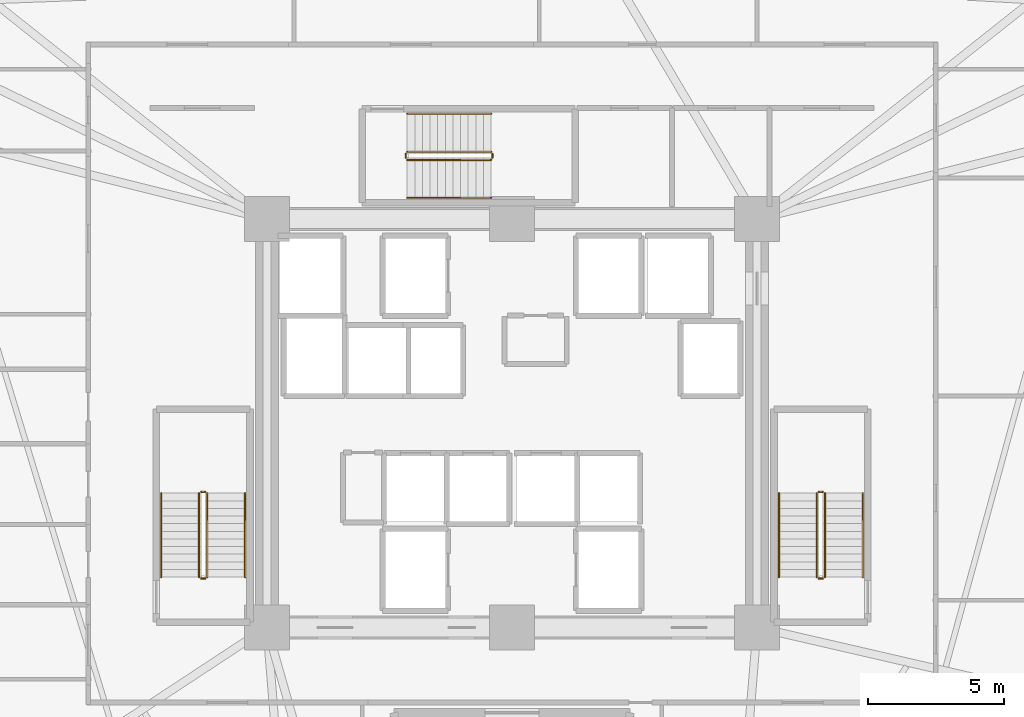
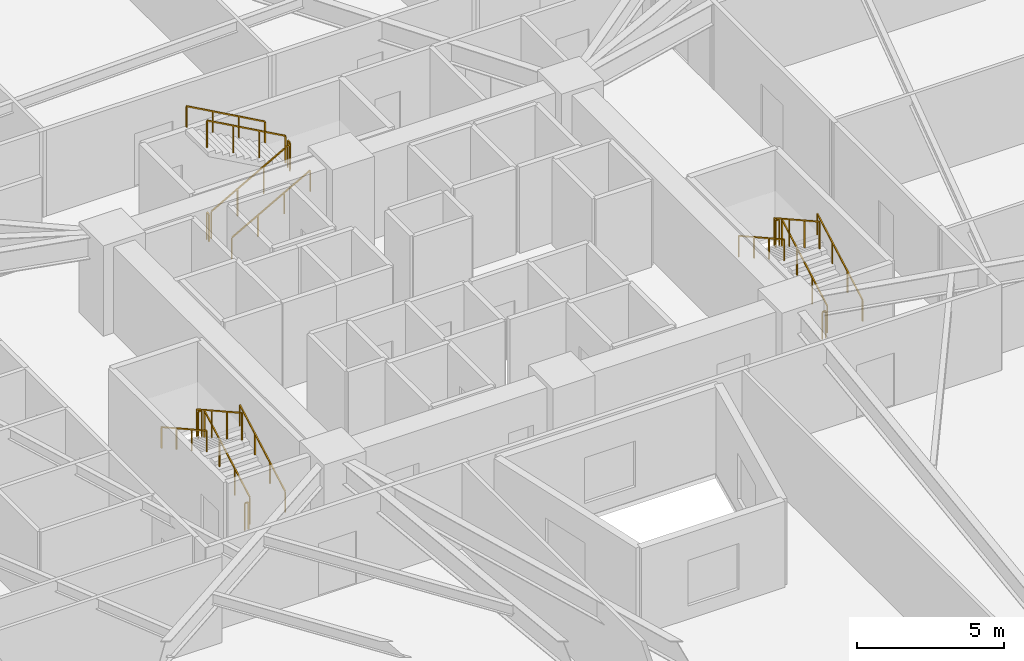
# One storey, part 9 of 9: 18 railings.
"""IFC4 building model written with IfcOpenShell, lengths in metres."""

from ifc_helpers import new_model, si_unit, direction, frame, origin, origin_2d, place, context, subcontext, project, spatial, rectangle, extrude, material, type_object, element, save


model = new_model("IFC4")

# Units and contexts
model_context = context("Model", 3, precision=1e-05, world=origin(), true_north=direction((0.0, 1.0)))
body_context = subcontext(model_context, "Body", "Model", "MODEL_VIEW")
ifc_project = project(units=[si_unit("LENGTHUNIT", "METRE"), si_unit("AREAUNIT", "SQUARE_METRE"), si_unit("VOLUMEUNIT", "CUBIC_METRE"), si_unit("PLANEANGLEUNIT", "RADIAN"), si_unit("MASSUNIT", "GRAM", prefix="KILO")], contexts=[model_context])

# Site, building, storey
site_placement = place(None, origin())
site = spatial("IfcSite", under=ifc_project, at=site_placement, CompositionType="ELEMENT")
building_placement = place(site_placement, origin())
building = spatial("IfcBuilding", under=site, at=building_placement, Name="Liaohun Quay Tower", CompositionType="ELEMENT")
storey_placement = place(building_placement, frame((0.0, 0.0, 59.25)))
storey = spatial("IfcBuildingStorey", under=building, at=storey_placement, Name="L15", CompositionType="ELEMENT", Elevation=59.25)

# Railings
ifc_material_1 = material(Name="Painted tubular steel", Category="steel")
railing_type_1 = type_object("IfcRailingType", Name="RLG-GUARD-STR", PredefinedType="GUARDRAIL", material=ifc_material_1)
railing_1_placement = place(storey_placement, frame((48.81005859375, 48.35009765625, 0.15625)))
element("IfcRailing", 1, at=railing_1_placement, inside=storey, type_object=railing_type_1, Name="L15 ST-1 stair guard 1", PredefinedType="GUARDRAIL", context=body_context, shape_type="SweptSolid", body=[
    extrude(rectangle(XDim=0.048095703125, YDim=0.048095703125, at=origin_2d()), frame((0.0, 0.0, 1.1259765625), z_axis=(0.0, 0.873225103656, 0.487317061414), x_axis=(-1.0, 0.0, 0.0)), (0.0, 0.0, 1.0), 3.52685546875),
    extrude(rectangle(XDim=0.0419921875, YDim=0.0419921875, at=origin_2d()), origin(), (0.0, 0.0, 1.0), 1.101806640625),
    extrude(rectangle(XDim=0.0419921875, YDim=0.0419921875, at=origin_2d()), frame((0.0, 1.026611328125, 0.572998046875)), (0.0, 0.0, 1.0), 1.101806640625),
    extrude(rectangle(XDim=0.0419921875, YDim=0.0419921875, at=origin_2d()), frame((0.0, 2.05322265625, 1.145751953125)), (0.0, 0.0, 1.0), 1.101806640625),
    extrude(rectangle(XDim=0.0419921875, YDim=0.0419921875, at=origin_2d()), frame((0.0, 3.079833984375, 1.71875)), (0.0, 0.0, 1.0), 1.101806640625),
])
railing_2_placement = place(storey_placement, frame((48.72998046875, 51.47998046875, 1.875)))
element("IfcRailing", 2, at=railing_2_placement, inside=storey, type_object=railing_type_1, Name="L15 ST-1 stair guard 2", PredefinedType="GUARDRAIL", context=body_context, shape_type="SweptSolid", body=[
    extrude(rectangle(XDim=0.048095703125, YDim=0.048095703125, at=origin_2d()), frame((0.0, 0.0, 1.1259765625), z_axis=(-1.0, 0.0, 0.0), x_axis=(0.0, -1.0, 0.0)), (0.0, 0.0, 1.0), 0.139892578125),
    extrude(rectangle(XDim=0.0419921875, YDim=0.0419921875, at=origin_2d()), origin(), (0.0, 0.0, 1.0), 1.101806640625),
    extrude(rectangle(XDim=0.0419921875, YDim=0.0419921875, at=origin_2d()), frame((-0.139892578125, 0.0, 0.0)), (0.0, 0.0, 1.0), 1.101806640625),
])
railing_3_placement = place(storey_placement, frame((48.510009765625, 51.429931640625, 2.03125)))
element("IfcRailing", 3, at=railing_3_placement, inside=storey, type_object=railing_type_1, Name="L15 ST-1 stair guard 3", PredefinedType="GUARDRAIL", context=body_context, shape_type="SweptSolid", body=[
    extrude(rectangle(XDim=0.048095703125, YDim=0.048095703125, at=origin_2d()), frame((0.0, 0.0, 1.1259765625), z_axis=(0.0, -0.873225103656, 0.487317061414), x_axis=(1.0, 0.0, 0.0)), (0.0, 0.0, 1.0), 3.52685546875),
    extrude(rectangle(XDim=0.0419921875, YDim=0.0419921875, at=origin_2d()), origin(), (0.0, 0.0, 1.0), 1.101806640625),
    extrude(rectangle(XDim=0.0419921875, YDim=0.0419921875, at=origin_2d()), frame((0.0, -1.026611328125, 0.572998046875)), (0.0, 0.0, 1.0), 1.101806640625),
    extrude(rectangle(XDim=0.0419921875, YDim=0.0419921875, at=origin_2d()), frame((0.0, -2.05322265625, 1.145751953125)), (0.0, 0.0, 1.0), 1.101806640625),
    extrude(rectangle(XDim=0.0419921875, YDim=0.0419921875, at=origin_2d()), frame((0.0, -3.079833984375, 1.71875)), (0.0, 0.0, 1.0), 1.101806640625),
])
railing_4_placement = place(storey_placement, frame((48.72998046875, 48.300048828125, 0.0)))
element("IfcRailing", 4, at=railing_4_placement, inside=storey, type_object=railing_type_1, Name="L15 ST-1 stair guard 4", PredefinedType="GUARDRAIL", context=body_context, shape_type="SweptSolid", body=[
    extrude(rectangle(XDim=0.048095703125, YDim=0.048095703125, at=origin_2d()), frame((0.0, 0.0, 1.1259765625), z_axis=(-1.0, 0.0, 0.0), x_axis=(0.0, -1.0, 0.0)), (0.0, 0.0, 1.0), 0.139892578125),
    extrude(rectangle(XDim=0.0419921875, YDim=0.0419921875, at=origin_2d()), origin(), (0.0, 0.0, 1.0), 1.101806640625),
    extrude(rectangle(XDim=0.0419921875, YDim=0.0419921875, at=origin_2d()), frame((-0.139892578125, 0.0, 0.0)), (0.0, 0.0, 1.0), 1.101806640625),
])
railing_5_placement = place(storey_placement, frame((71.489990234375, 48.35009765625, 0.15625)))
element("IfcRailing", 5, at=railing_5_placement, inside=storey, type_object=railing_type_1, Name="L15 ST-2 stair guard 1", PredefinedType="GUARDRAIL", context=body_context, shape_type="SweptSolid", body=[
    extrude(rectangle(XDim=0.048095703125, YDim=0.048095703125, at=origin_2d()), frame((0.0, 0.0, 1.1259765625), z_axis=(0.0, 0.873225103656, 0.487317061414), x_axis=(-1.0, 0.0, 0.0)), (0.0, 0.0, 1.0), 3.52685546875),
    extrude(rectangle(XDim=0.0419921875, YDim=0.0419921875, at=origin_2d()), origin(), (0.0, 0.0, 1.0), 1.101806640625),
    extrude(rectangle(XDim=0.0419921875, YDim=0.0419921875, at=origin_2d()), frame((0.0, 1.026611328125, 0.572998046875)), (0.0, 0.0, 1.0), 1.101806640625),
    extrude(rectangle(XDim=0.0419921875, YDim=0.0419921875, at=origin_2d()), frame((0.0, 2.05322265625, 1.145751953125)), (0.0, 0.0, 1.0), 1.101806640625),
    extrude(rectangle(XDim=0.0419921875, YDim=0.0419921875, at=origin_2d()), frame((0.0, 3.079833984375, 1.71875)), (0.0, 0.0, 1.0), 1.101806640625),
])
railing_6_placement = place(storey_placement, frame((71.409912109375, 51.47998046875, 1.875)))
element("IfcRailing", 6, at=railing_6_placement, inside=storey, type_object=railing_type_1, Name="L15 ST-2 stair guard 2", PredefinedType="GUARDRAIL", context=body_context, shape_type="SweptSolid", body=[
    extrude(rectangle(XDim=0.048095703125, YDim=0.048095703125, at=origin_2d()), frame((0.0, 0.0, 1.1259765625), z_axis=(-1.0, 0.0, 0.0), x_axis=(0.0, -1.0, 0.0)), (0.0, 0.0, 1.0), 0.139892578125),
    extrude(rectangle(XDim=0.0419921875, YDim=0.0419921875, at=origin_2d()), origin(), (0.0, 0.0, 1.0), 1.101806640625),
    extrude(rectangle(XDim=0.0419921875, YDim=0.0419921875, at=origin_2d()), frame((-0.139892578125, 0.0, 0.0)), (0.0, 0.0, 1.0), 1.101806640625),
])
railing_7_placement = place(storey_placement, frame((71.18994140625, 51.429931640625, 2.03125)))
element("IfcRailing", 7, at=railing_7_placement, inside=storey, type_object=railing_type_1, Name="L15 ST-2 stair guard 3", PredefinedType="GUARDRAIL", context=body_context, shape_type="SweptSolid", body=[
    extrude(rectangle(XDim=0.048095703125, YDim=0.048095703125, at=origin_2d()), frame((0.0, 0.0, 1.1259765625), z_axis=(0.0, -0.873225103656, 0.487317061414), x_axis=(1.0, 0.0, 0.0)), (0.0, 0.0, 1.0), 3.52685546875),
    extrude(rectangle(XDim=0.0419921875, YDim=0.0419921875, at=origin_2d()), origin(), (0.0, 0.0, 1.0), 1.101806640625),
    extrude(rectangle(XDim=0.0419921875, YDim=0.0419921875, at=origin_2d()), frame((0.0, -1.026611328125, 0.572998046875)), (0.0, 0.0, 1.0), 1.101806640625),
    extrude(rectangle(XDim=0.0419921875, YDim=0.0419921875, at=origin_2d()), frame((0.0, -2.05322265625, 1.145751953125)), (0.0, 0.0, 1.0), 1.101806640625),
    extrude(rectangle(XDim=0.0419921875, YDim=0.0419921875, at=origin_2d()), frame((0.0, -3.079833984375, 1.71875)), (0.0, 0.0, 1.0), 1.101806640625),
])
railing_8_placement = place(storey_placement, frame((71.409912109375, 48.300048828125, 0.0)))
element("IfcRailing", 8, at=railing_8_placement, inside=storey, type_object=railing_type_1, Name="L15 ST-2 stair guard 4", PredefinedType="GUARDRAIL", context=body_context, shape_type="SweptSolid", body=[
    extrude(rectangle(XDim=0.048095703125, YDim=0.048095703125, at=origin_2d()), frame((0.0, 0.0, 1.1259765625), z_axis=(-1.0, 0.0, 0.0), x_axis=(0.0, -1.0, 0.0)), (0.0, 0.0, 1.0), 0.139892578125),
    extrude(rectangle(XDim=0.0419921875, YDim=0.0419921875, at=origin_2d()), origin(), (0.0, 0.0, 1.0), 1.101806640625),
    extrude(rectangle(XDim=0.0419921875, YDim=0.0419921875, at=origin_2d()), frame((-0.139892578125, 0.0, 0.0)), (0.0, 0.0, 1.0), 1.101806640625),
])
railing_9_placement = place(storey_placement, frame((56.14990234375, 63.669921875, 0.15625)))
element("IfcRailing", 9, at=railing_9_placement, inside=storey, type_object=railing_type_1, Name="L15 ST-3 stair guard 1", PredefinedType="GUARDRAIL", context=body_context, shape_type="SweptSolid", body=[
    extrude(rectangle(XDim=0.048095703125, YDim=0.048095703125, at=origin_2d()), frame((0.0, 0.0, 1.1259765625), z_axis=(0.873241540666, 0.0, 0.487287606713), x_axis=(0.0, 1.0, 0.0)), (0.0, 0.0, 1.0), 3.527099609375),
    extrude(rectangle(XDim=0.0419921875, YDim=0.0419921875, at=origin_2d()), origin(), (0.0, 0.0, 1.0), 1.101806640625),
    extrude(rectangle(XDim=0.0419921875, YDim=0.0419921875, at=origin_2d()), frame((1.026611328125, 0.0, 0.572998046875)), (0.0, 0.0, 1.0), 1.101806640625),
    extrude(rectangle(XDim=0.0419921875, YDim=0.0419921875, at=origin_2d()), frame((2.053466796875, 0.0, 1.145751953125)), (0.0, 0.0, 1.0), 1.101806640625),
    extrude(rectangle(XDim=0.0419921875, YDim=0.0419921875, at=origin_2d()), frame((3.080078125, 0.0, 1.71875)), (0.0, 0.0, 1.0), 1.101806640625),
])
railing_10_placement = place(storey_placement, frame((59.280029296875, 63.75, 1.875)))
element("IfcRailing", 10, at=railing_10_placement, inside=storey, type_object=railing_type_1, Name="L15 ST-3 stair guard 2", PredefinedType="GUARDRAIL", context=body_context, shape_type="SweptSolid", body=[
    extrude(rectangle(XDim=0.048095703125, YDim=0.048095703125, at=origin_2d()), frame((0.0, 0.0, 1.1259765625), z_axis=(0.0, 1.0, 0.0), x_axis=(-1.0, 0.0, 0.0)), (0.0, 0.0, 1.0), 0.139892578125),
    extrude(rectangle(XDim=0.0419921875, YDim=0.0419921875, at=origin_2d()), origin(), (0.0, 0.0, 1.0), 1.101806640625),
    extrude(rectangle(XDim=0.0419921875, YDim=0.0419921875, at=origin_2d()), frame((0.0, 0.139892578125, 0.0)), (0.0, 0.0, 1.0), 1.101806640625),
])
railing_11_placement = place(storey_placement, frame((59.22998046875, 63.969970703125, 2.03125)))
element("IfcRailing", 11, at=railing_11_placement, inside=storey, type_object=railing_type_1, Name="L15 ST-3 stair guard 3", PredefinedType="GUARDRAIL", context=body_context, shape_type="SweptSolid", body=[
    extrude(rectangle(XDim=0.048095703125, YDim=0.048095703125, at=origin_2d()), frame((0.0, 0.0, 1.1259765625), z_axis=(-0.873241540666, 0.0, 0.487287606713), x_axis=(0.0, -1.0, 0.0)), (0.0, 0.0, 1.0), 3.527099609375),
    extrude(rectangle(XDim=0.0419921875, YDim=0.0419921875, at=origin_2d()), origin(), (0.0, 0.0, 1.0), 1.101806640625),
    extrude(rectangle(XDim=0.0419921875, YDim=0.0419921875, at=origin_2d()), frame((-1.026611328125, 0.0, 0.572998046875)), (0.0, 0.0, 1.0), 1.101806640625),
    extrude(rectangle(XDim=0.0419921875, YDim=0.0419921875, at=origin_2d()), frame((-2.053466796875, 0.0, 1.145751953125)), (0.0, 0.0, 1.0), 1.101806640625),
    extrude(rectangle(XDim=0.0419921875, YDim=0.0419921875, at=origin_2d()), frame((-3.080078125, 0.0, 1.71875)), (0.0, 0.0, 1.0), 1.101806640625),
])
railing_12_placement = place(storey_placement, frame((56.10009765625, 63.75, 0.0)))
element("IfcRailing", 12, at=railing_12_placement, inside=storey, type_object=railing_type_1, Name="L15 ST-3 stair guard 4", PredefinedType="GUARDRAIL", context=body_context, shape_type="SweptSolid", body=[
    extrude(rectangle(XDim=0.048095703125, YDim=0.048095703125, at=origin_2d()), frame((0.0, 0.0, 1.1259765625), z_axis=(0.0, 1.0, 0.0), x_axis=(-1.0, 0.0, 0.0)), (0.0, 0.0, 1.0), 0.139892578125),
    extrude(rectangle(XDim=0.0419921875, YDim=0.0419921875, at=origin_2d()), origin(), (0.0, 0.0, 1.0), 1.101806640625),
    extrude(rectangle(XDim=0.0419921875, YDim=0.0419921875, at=origin_2d()), frame((0.0, 0.139892578125, 0.0)), (0.0, 0.0, 1.0), 1.101806640625),
])
ifc_material_2 = material(Name="Brushed stainless steel", Category="steel")
railing_type_2 = type_object("IfcRailingType", Name="RLG-HND-STR", PredefinedType="HANDRAIL", material=ifc_material_2)
railing_13_placement = place(storey_placement, frame((50.199951171875, 48.35009765625, 0.15625)))
element("IfcRailing", 13, at=railing_13_placement, inside=storey, type_object=railing_type_2, Name="L15 ST-1 stair handrail 1", PredefinedType="HANDRAIL", context=body_context, shape_type="SweptSolid", body=[
    extrude(rectangle(XDim=0.048095703125, YDim=0.048095703125, at=origin_2d()), frame((0.0, 0.0, 0.8759765625), z_axis=(0.0, 0.873225103656, 0.487317061414), x_axis=(-1.0, 0.0, 0.0)), (0.0, 0.0, 1.0), 3.52685546875),
    extrude(rectangle(XDim=0.0419921875, YDim=0.0419921875, at=origin_2d()), origin(), (0.0, 0.0, 1.0), 0.851806640625),
    extrude(rectangle(XDim=0.0419921875, YDim=0.0419921875, at=origin_2d()), frame((0.0, 1.026611328125, 0.572998046875)), (0.0, 0.0, 1.0), 0.851806640625),
    extrude(rectangle(XDim=0.0419921875, YDim=0.0419921875, at=origin_2d()), frame((0.0, 2.05322265625, 1.145751953125)), (0.0, 0.0, 1.0), 0.851806640625),
    extrude(rectangle(XDim=0.0419921875, YDim=0.0419921875, at=origin_2d()), frame((0.0, 3.079833984375, 1.71875)), (0.0, 0.0, 1.0), 0.851806640625),
])
railing_14_placement = place(storey_placement, frame((47.1201171875, 51.429931640625, 2.03125)))
element("IfcRailing", 14, at=railing_14_placement, inside=storey, type_object=railing_type_2, Name="L15 ST-1 stair handrail 2", PredefinedType="HANDRAIL", context=body_context, shape_type="SweptSolid", body=[
    extrude(rectangle(XDim=0.048095703125, YDim=0.048095703125, at=origin_2d()), frame((0.0, 0.0, 0.8759765625), z_axis=(0.0, -0.873225103656, 0.487317061414), x_axis=(1.0, 0.0, 0.0)), (0.0, 0.0, 1.0), 3.52685546875),
    extrude(rectangle(XDim=0.0419921875, YDim=0.0419921875, at=origin_2d()), origin(), (0.0, 0.0, 1.0), 0.851806640625),
    extrude(rectangle(XDim=0.0419921875, YDim=0.0419921875, at=origin_2d()), frame((0.0, -1.026611328125, 0.572998046875)), (0.0, 0.0, 1.0), 0.851806640625),
    extrude(rectangle(XDim=0.0419921875, YDim=0.0419921875, at=origin_2d()), frame((0.0, -2.05322265625, 1.145751953125)), (0.0, 0.0, 1.0), 0.851806640625),
    extrude(rectangle(XDim=0.0419921875, YDim=0.0419921875, at=origin_2d()), frame((0.0, -3.079833984375, 1.71875)), (0.0, 0.0, 1.0), 0.851806640625),
])
railing_15_placement = place(storey_placement, frame((72.8798828125, 48.35009765625, 0.15625)))
element("IfcRailing", 15, at=railing_15_placement, inside=storey, type_object=railing_type_2, Name="L15 ST-2 stair handrail 1", PredefinedType="HANDRAIL", context=body_context, shape_type="SweptSolid", body=[
    extrude(rectangle(XDim=0.048095703125, YDim=0.048095703125, at=origin_2d()), frame((0.0, 0.0, 0.8759765625), z_axis=(0.0, 0.873225103656, 0.487317061414), x_axis=(-1.0, 0.0, 0.0)), (0.0, 0.0, 1.0), 3.52685546875),
    extrude(rectangle(XDim=0.0419921875, YDim=0.0419921875, at=origin_2d()), origin(), (0.0, 0.0, 1.0), 0.851806640625),
    extrude(rectangle(XDim=0.0419921875, YDim=0.0419921875, at=origin_2d()), frame((0.0, 1.026611328125, 0.572998046875)), (0.0, 0.0, 1.0), 0.851806640625),
    extrude(rectangle(XDim=0.0419921875, YDim=0.0419921875, at=origin_2d()), frame((0.0, 2.05322265625, 1.145751953125)), (0.0, 0.0, 1.0), 0.851806640625),
    extrude(rectangle(XDim=0.0419921875, YDim=0.0419921875, at=origin_2d()), frame((0.0, 3.079833984375, 1.71875)), (0.0, 0.0, 1.0), 0.851806640625),
])
railing_16_placement = place(storey_placement, frame((69.800048828125, 51.429931640625, 2.03125)))
element("IfcRailing", 16, at=railing_16_placement, inside=storey, type_object=railing_type_2, Name="L15 ST-2 stair handrail 2", PredefinedType="HANDRAIL", context=body_context, shape_type="SweptSolid", body=[
    extrude(rectangle(XDim=0.048095703125, YDim=0.048095703125, at=origin_2d()), frame((0.0, 0.0, 0.8759765625), z_axis=(0.0, -0.873225103656, 0.487317061414), x_axis=(1.0, 0.0, 0.0)), (0.0, 0.0, 1.0), 3.52685546875),
    extrude(rectangle(XDim=0.0419921875, YDim=0.0419921875, at=origin_2d()), origin(), (0.0, 0.0, 1.0), 0.851806640625),
    extrude(rectangle(XDim=0.0419921875, YDim=0.0419921875, at=origin_2d()), frame((0.0, -1.026611328125, 0.572998046875)), (0.0, 0.0, 1.0), 0.851806640625),
    extrude(rectangle(XDim=0.0419921875, YDim=0.0419921875, at=origin_2d()), frame((0.0, -2.05322265625, 1.145751953125)), (0.0, 0.0, 1.0), 0.851806640625),
    extrude(rectangle(XDim=0.0419921875, YDim=0.0419921875, at=origin_2d()), frame((0.0, -3.079833984375, 1.71875)), (0.0, 0.0, 1.0), 0.851806640625),
])
railing_17_placement = place(storey_placement, frame((56.14990234375, 62.280029296875, 0.15625)))
element("IfcRailing", 17, at=railing_17_placement, inside=storey, type_object=railing_type_2, Name="L15 ST-3 stair handrail 1", PredefinedType="HANDRAIL", context=body_context, shape_type="SweptSolid", body=[
    extrude(rectangle(XDim=0.048095703125, YDim=0.048095703125, at=origin_2d()), frame((0.0, 0.0, 0.8759765625), z_axis=(0.873241540666, 0.0, 0.487287606713), x_axis=(0.0, 1.0, 0.0)), (0.0, 0.0, 1.0), 3.527099609375),
    extrude(rectangle(XDim=0.0419921875, YDim=0.0419921875, at=origin_2d()), origin(), (0.0, 0.0, 1.0), 0.851806640625),
    extrude(rectangle(XDim=0.0419921875, YDim=0.0419921875, at=origin_2d()), frame((1.026611328125, 0.0, 0.572998046875)), (0.0, 0.0, 1.0), 0.851806640625),
    extrude(rectangle(XDim=0.0419921875, YDim=0.0419921875, at=origin_2d()), frame((2.053466796875, 0.0, 1.145751953125)), (0.0, 0.0, 1.0), 0.851806640625),
    extrude(rectangle(XDim=0.0419921875, YDim=0.0419921875, at=origin_2d()), frame((3.080078125, 0.0, 1.71875)), (0.0, 0.0, 1.0), 0.851806640625),
])
railing_18_placement = place(storey_placement, frame((59.22998046875, 65.360107421875, 2.03125)))
element("IfcRailing", 18, at=railing_18_placement, inside=storey, type_object=railing_type_2, Name="L15 ST-3 stair handrail 2", PredefinedType="HANDRAIL", context=body_context, shape_type="SweptSolid", body=[
    extrude(rectangle(XDim=0.048095703125, YDim=0.048095703125, at=origin_2d()), frame((0.0, 0.0, 0.8759765625), z_axis=(-0.873241540666, 0.0, 0.487287606713), x_axis=(0.0, -1.0, 0.0)), (0.0, 0.0, 1.0), 3.527099609375),
    extrude(rectangle(XDim=0.0419921875, YDim=0.0419921875, at=origin_2d()), origin(), (0.0, 0.0, 1.0), 0.851806640625),
    extrude(rectangle(XDim=0.0419921875, YDim=0.0419921875, at=origin_2d()), frame((-1.026611328125, 0.0, 0.572998046875)), (0.0, 0.0, 1.0), 0.851806640625),
    extrude(rectangle(XDim=0.0419921875, YDim=0.0419921875, at=origin_2d()), frame((-2.053466796875, 0.0, 1.145751953125)), (0.0, 0.0, 1.0), 0.851806640625),
    extrude(rectangle(XDim=0.0419921875, YDim=0.0419921875, at=origin_2d()), frame((-3.080078125, 0.0, 1.71875)), (0.0, 0.0, 1.0), 0.851806640625),
])

save(model, "model.ifc")
